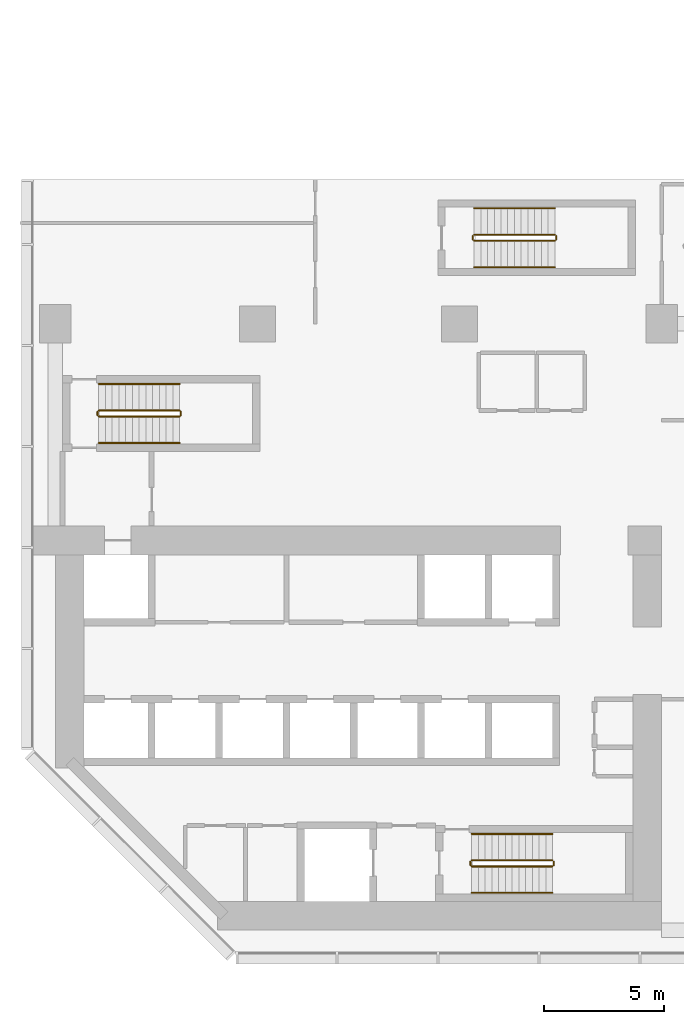
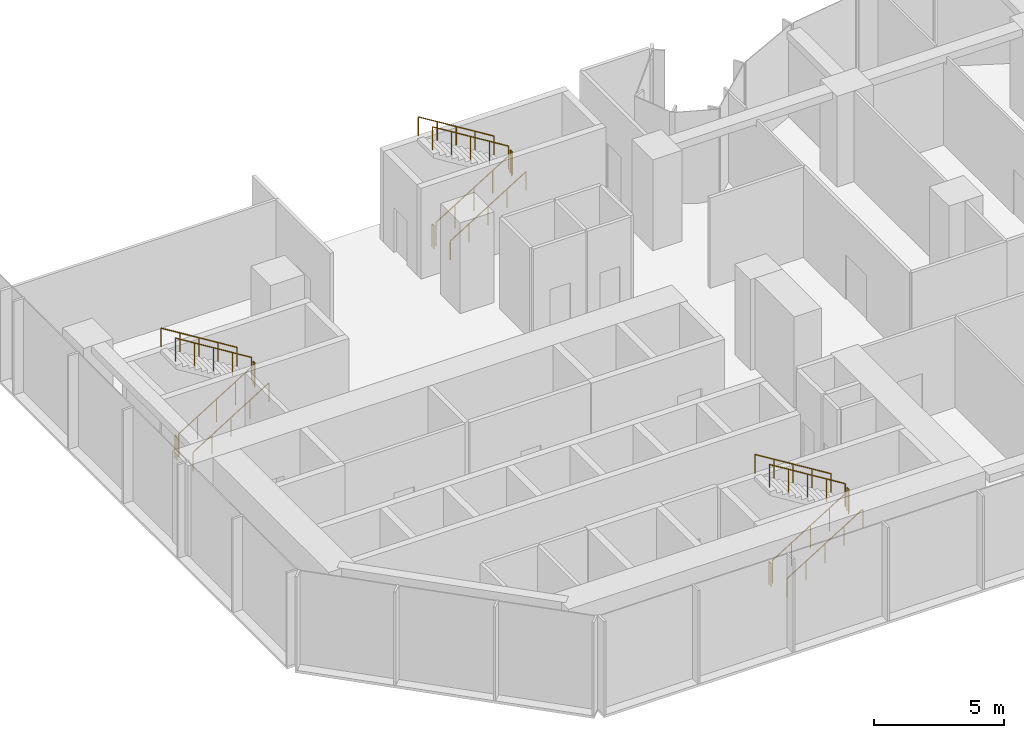
# One storey, part 11 of 13: 18 railings.
"""IFC4 building model written with IfcOpenShell, lengths in metres."""

import ifcopenshell
import ifcopenshell.guid

model = None  # the IFC model being written
_history = None  # IfcOwnerHistory: only IFC2X3 demands one
_inside = {}  # id of a spatial element -> (the spatial element, [elements in it])
_under = {}  # id of a project, library or spatial element -> (it, [spatial elements below it])
_declared = {}  # id of a project -> (the project, [libraries it declares])
_typed = {}  # id of a type object -> (the type object, [elements of that type])
_made_of = {}  # id of a material, layer set ... -> (it, [elements and type objects made of it])


def new_model(schema):
    """Start an empty IFC model of exactly this schema.

    Asked for "IFC4X3", IfcOpenShell would pick the latest addendum, in which some entities
    have other attributes; the version numbers below select the first issue.
    IFC2X3 requires an IfcOwnerHistory on every rooted entity: one is made here for all.
    """
    global model, _history
    if schema == "IFC4X3":
        model = ifcopenshell.file(schema_version=(4, 3, 0, 0))
    else:
        model = ifcopenshell.file(schema=schema)
    _inside.clear()
    _under.clear()
    _declared.clear()
    _typed.clear()
    _made_of.clear()
    _history = None
    if model.schema == "IFC2X3":
        org = make("IfcOrganization", Name="unknown")
        user = make(
            "IfcPersonAndOrganization",
            ThePerson=make("IfcPerson", FamilyName="unknown"),
            TheOrganization=org,
        )
        app = make(
            "IfcApplication",
            ApplicationDeveloper=org,
            Version="unknown",
            ApplicationFullName="unknown",
            ApplicationIdentifier="unknown",
        )
        _history = make(
            "IfcOwnerHistory",
            OwningUser=user,
            OwningApplication=app,
            ChangeAction="ADDED",
            CreationDate=0,
        )
    return model


def make(cls, **values):
    """One entity of the class cls with the attributes given. An attribute that is None is left unset."""
    return model.create_entity(
        cls, **{name: value for name, value in values.items() if value is not None}
    )


def rooted(cls, **values):
    """An entity with a GlobalId (a new one), such as an element, a storey or a relation."""
    return make(cls, GlobalId=ifcopenshell.guid.new(), OwnerHistory=_history, **values)


def si_unit(unit_type, name, prefix=None):
    """IfcSIUnit, for example si_unit("LENGTHUNIT", "METRE", prefix="MILLI")."""
    return make("IfcSIUnit", UnitType=unit_type, Prefix=prefix, Name=name)


def assignment(units):
    """IfcUnitAssignment: the units of a project."""
    return None if units is None else make("IfcUnitAssignment", Units=units)


def point(xyz):
    """IfcCartesianPoint."""
    return None if xyz is None else make("IfcCartesianPoint", Coordinates=xyz)


def direction(xyz):
    """IfcDirection."""
    return None if xyz is None else make("IfcDirection", DirectionRatios=xyz)


def frame(location, z_axis=None, x_axis=None):
    """IfcAxis2Placement3D, a coordinate frame: its origin and axes. An axis left out is left unset."""
    return make(
        "IfcAxis2Placement3D",
        Location=point(location),
        Axis=direction(z_axis),
        RefDirection=direction(x_axis),
    )


def frame_2d(location, x_axis=None):
    """IfcAxis2Placement2D, a coordinate frame in the plane: its origin and x axis."""
    return make(
        "IfcAxis2Placement2D", Location=point(location), RefDirection=direction(x_axis)
    )


def origin():
    """The frame at (0, 0, 0) with its axes left unset."""
    return frame((0.0, 0.0, 0.0))


def origin_2d():
    """The frame at (0, 0) in the plane with its x axis left unset."""
    return frame_2d((0.0, 0.0))


def place(relative_to, where):
    """IfcLocalPlacement: puts the frame where relative to a parent placement (None: the world)."""
    return make(
        "IfcLocalPlacement", PlacementRelTo=relative_to, RelativePlacement=where
    )


def context(
    kind, dimensions, precision=None, world=None, true_north=None, identifier=None
):
    """IfcGeometricRepresentationContext, for example the 3D "Model" context."""
    return make(
        "IfcGeometricRepresentationContext",
        ContextIdentifier=identifier,
        ContextType=kind,
        CoordinateSpaceDimension=dimensions,
        Precision=precision,
        WorldCoordinateSystem=world,
        TrueNorth=true_north,
    )


def subcontext(parent, identifier, kind, view, scale=None):
    """IfcGeometricRepresentationSubContext, for example "Body" below "Model"."""
    return make(
        "IfcGeometricRepresentationSubContext",
        ContextIdentifier=identifier,
        ContextType=kind,
        ParentContext=parent,
        TargetScale=scale,
        TargetView=view,
    )


def project(units=None, contexts=None):
    """IfcProject with its units and contexts."""
    return rooted(
        "IfcProject",
        Name="project",
        RepresentationContexts=contexts,
        UnitsInContext=assignment(units),
    )


def spatial(cls, under=None, at=None, **own):
    """A site, building, storey or space (cls), placed at a placement, below another one or the project."""
    s = rooted(cls, ObjectPlacement=at, **own)
    if under is not None:
        _under.setdefault(under.id(), (under, []))[1].append(s)
    return s


def profile(cls, at=None, kind="AREA", **sizes):
    """A parametric profile (cls). Its sizes go by their IFC names, for example OverallWidth=200.0."""
    return make(cls, ProfileType=kind, Position=at, **sizes)


def circle(**sizes):
    """IfcCircleProfileDef."""
    return profile("IfcCircleProfileDef", **sizes)


def extrude(swept, where, along, depth):
    """IfcExtrudedAreaSolid: the profile swept, set in the frame where, extruded along a direction by depth."""
    return make(
        "IfcExtrudedAreaSolid",
        SweptArea=swept,
        Position=where,
        ExtrudedDirection=direction(along),
        Depth=depth,
    )


def shape(context_of_items, identifier, shape_type, items):
    """IfcShapeRepresentation: the items that make up one representation, for example the "Body"."""
    return make(
        "IfcShapeRepresentation",
        ContextOfItems=context_of_items,
        RepresentationIdentifier=identifier,
        RepresentationType=shape_type,
        Items=items,
    )


def material(Name=None, Category=None):
    """IfcMaterial."""
    return make("IfcMaterial", Name=Name, Category=Category)


def made_of(thing, what):
    """Note that an element or type object is made of a material, layer set ...; save() writes the relation."""
    if what is not None:
        _made_of.setdefault(what.id(), (what, []))[1].append(thing)
    return thing


def type_object(cls, material=None, **own):
    """A type object (cls), such as IfcWallType, which elements share."""
    return made_of(rooted(cls, **own), material)


def element(
    cls,
    number,
    at=None,
    inside=None,
    cuts=None,
    type_object=None,
    material=None,
    context=None,
    identifier="Body",
    shape_type=None,
    held_by="IfcProductDefinitionShape",
    body=None,
    shapes=None,
    **own,
):
    """One element of the class cls, such as IfcWall. Its Tag is "e" and its number.

    at: its placement. inside: the storey or other place that contains it. cuts: it is an
    opening in that element (IfcRelVoidsElement). A single representation is given by context,
    identifier, shape_type and body (its items); several are given by shapes. held_by: the class
    of the entity that holds the representations. save() writes the other relations.
    """
    e = rooted(cls, Tag="e%d" % number, ObjectPlacement=at, **own)
    if body is not None:
        shapes = [shape(context, identifier, shape_type, body)]
    if shapes is not None:
        e.Representation = make(held_by, Representations=shapes)
    if inside is not None:
        _inside.setdefault(inside.id(), (inside, []))[1].append(e)
    if cuts is not None:
        rooted(
            "IfcRelVoidsElement", RelatingBuildingElement=cuts, RelatedOpeningElement=e
        )
    if type_object is not None:
        _typed.setdefault(type_object.id(), (type_object, []))[1].append(e)
    return made_of(e, material)


def aggregate(whole, parts):
    """IfcRelAggregates: a whole, such as a stair, and the parts it consists of."""
    return rooted("IfcRelAggregates", RelatingObject=whole, RelatedObjects=parts)


def save(model, path):
    """Write the relations noted so far, then the file.

    IfcRelAggregates (storeys below a building ...), IfcRelContainedInSpatialStructure (elements
    in a storey), IfcRelDefinesByType, IfcRelAssociatesMaterial and IfcRelDeclares: one each for
    every whole, place, type object, material and project.
    """
    for whole, parts in _under.values():
        aggregate(whole, parts)
    for where, things in _inside.values():
        rooted(
            "IfcRelContainedInSpatialStructure",
            RelatedElements=things,
            RelatingStructure=where,
        )
    for kind, things in _typed.values():
        rooted("IfcRelDefinesByType", RelatedObjects=things, RelatingType=kind)
    for what, things in _made_of.values():
        rooted("IfcRelAssociatesMaterial", RelatedObjects=things, RelatingMaterial=what)
    for by, libraries in _declared.values():
        rooted("IfcRelDeclares", RelatingContext=by, RelatedDefinitions=libraries)
    model.write(path)


model = new_model("IFC4")

# Units and contexts
model_context = context("Model", 3, precision=1e-05, world=origin(), true_north=direction((0.0, 1.0)))
body_context = subcontext(model_context, "Body", "Model", "MODEL_VIEW")
ifc_project = project(units=[si_unit("LENGTHUNIT", "METRE"), si_unit("AREAUNIT", "SQUARE_METRE"), si_unit("VOLUMEUNIT", "CUBIC_METRE"), si_unit("PLANEANGLEUNIT", "RADIAN"), si_unit("MASSUNIT", "GRAM", prefix="KILO")], contexts=[model_context])

# Site, building, storey
site_placement = place(None, origin())
site = spatial("IfcSite", under=ifc_project, at=site_placement, CompositionType="ELEMENT")
building_placement = place(site_placement, origin())
building = spatial("IfcBuilding", under=site, at=building_placement, Name="Brevane Broadcast Tower", CompositionType="ELEMENT")
storey_placement = place(building_placement, frame((0.0, 0.0, 32.0)))
storey = spatial("IfcBuildingStorey", under=building, at=storey_placement, Name="L05", CompositionType="ELEMENT", Elevation=32.0)

# Railings
ifc_material = material(Name="Steel S355", Category="steel")
railing_type_1 = type_object("IfcRailingType", Name="Exit stair guard", PredefinedType="GUARDRAIL", material=ifc_material)
railing_1_placement = place(storey_placement, frame((1.800048828125, 21.35009765625, 0.173095703125)))
element("IfcRailing", 1, at=railing_1_placement, inside=storey, type_object=railing_type_1, Name="L05 ST-1 stair guard 1", PredefinedType="GUARDRAIL", context=body_context, shape_type="SweptSolid", body=[
    extrude(circle(Radius=0.02392578125, at=origin_2d()), frame((0.0, 0.0, 1.076171875), z_axis=(0.850606129759, 0.0, 0.525803396734), x_axis=(0.0, 1.0, 0.0)), (0.0, 0.0, 1.0), 3.949951171875),
    extrude(circle(Radius=0.02099609375, at=origin_2d()), origin(), (0.0, 0.0, 1.0), 1.052001953125),
    extrude(circle(Radius=0.02099609375, at=origin_2d()), frame((0.83984375, 0.0, 0.519287109375)), (0.0, 0.0, 1.0), 1.052001953125),
    extrude(circle(Radius=0.02099609375, at=origin_2d()), frame((1.679931640625, 0.0, 1.03857421875)), (0.0, 0.0, 1.0), 1.052001953125),
    extrude(circle(Radius=0.02099609375, at=origin_2d()), frame((2.52001953125, 0.0, 1.5576171875)), (0.0, 0.0, 1.0), 1.052001953125),
    extrude(circle(Radius=0.02099609375, at=origin_2d()), frame((3.35986328125, 0.0, 2.076904296875)), (0.0, 0.0, 1.0), 1.052001953125),
])
railing_2_placement = place(storey_placement, frame((5.2099609375, 21.39990234375, 2.25)))
element("IfcRailing", 2, at=railing_2_placement, inside=storey, type_object=railing_type_1, Name="L05 ST-1 stair guard 2", PredefinedType="GUARDRAIL", context=body_context, shape_type="SweptSolid", body=[
    extrude(circle(Radius=0.02392578125, at=origin_2d()), frame((0.0, 0.0, 1.076171875), z_axis=(0.0, 1.0, 0.0), x_axis=(-1.0, 0.0, 0.0)), (0.0, 0.0, 1.0), 0.150146484375),
    extrude(circle(Radius=0.02099609375, at=origin_2d()), origin(), (0.0, 0.0, 1.0), 1.052001953125),
    extrude(circle(Radius=0.02099609375, at=origin_2d()), frame((0.0, 0.150146484375, 0.0)), (0.0, 0.0, 1.0), 1.052001953125),
])
railing_3_placement = place(storey_placement, frame((5.159912109375, 21.60009765625, 2.423095703125)))
element("IfcRailing", 3, at=railing_3_placement, inside=storey, type_object=railing_type_1, Name="L05 ST-1 stair guard 3", PredefinedType="GUARDRAIL", context=body_context, shape_type="SweptSolid", body=[
    extrude(circle(Radius=0.02392578125, at=origin_2d()), frame((0.0, 0.0, 1.076171875), z_axis=(-0.850606129759, 0.0, 0.525803396734), x_axis=(0.0, -1.0, 0.0)), (0.0, 0.0, 1.0), 3.949951171875),
    extrude(circle(Radius=0.02099609375, at=origin_2d()), origin(), (0.0, 0.0, 1.0), 1.052001953125),
    extrude(circle(Radius=0.02099609375, at=origin_2d()), frame((-0.83984375, 0.0, 0.519287109375)), (0.0, 0.0, 1.0), 1.052001953125),
    extrude(circle(Radius=0.02099609375, at=origin_2d()), frame((-1.679931640625, 0.0, 1.03857421875)), (0.0, 0.0, 1.0), 1.052001953125),
    extrude(circle(Radius=0.02099609375, at=origin_2d()), frame((-2.52001953125, 0.0, 1.5576171875)), (0.0, 0.0, 1.0), 1.052001953125),
    extrude(circle(Radius=0.02099609375, at=origin_2d()), frame((-3.35986328125, 0.0, 2.076904296875)), (0.0, 0.0, 1.0), 1.052001953125),
])
railing_4_placement = place(storey_placement, frame((1.75, 21.39990234375, 0.0)))
element("IfcRailing", 4, at=railing_4_placement, inside=storey, type_object=railing_type_1, Name="L05 ST-1 stair guard 4", PredefinedType="GUARDRAIL", context=body_context, shape_type="SweptSolid", body=[
    extrude(circle(Radius=0.02392578125, at=origin_2d()), frame((0.0, 0.0, 1.076171875), z_axis=(0.0, 1.0, 0.0), x_axis=(-1.0, 0.0, 0.0)), (0.0, 0.0, 1.0), 0.150146484375),
    extrude(circle(Radius=0.02099609375, at=origin_2d()), origin(), (0.0, 0.0, 1.0), 1.052001953125),
    extrude(circle(Radius=0.02099609375, at=origin_2d()), frame((0.0, 0.150146484375, 0.0)), (0.0, 0.0, 1.0), 1.052001953125),
])
railing_5_placement = place(storey_placement, frame((17.300048828125, 2.64990234375, 0.173095703125)))
element("IfcRailing", 5, at=railing_5_placement, inside=storey, type_object=railing_type_1, Name="L05 ST-2 stair guard 1", PredefinedType="GUARDRAIL", context=body_context, shape_type="SweptSolid", body=[
    extrude(circle(Radius=0.02392578125, at=origin_2d()), frame((0.0, 0.0, 1.076171875), z_axis=(0.850606129759, 0.0, 0.525803396734), x_axis=(0.0, 1.0, 0.0)), (0.0, 0.0, 1.0), 3.949951171875),
    extrude(circle(Radius=0.02099609375, at=origin_2d()), origin(), (0.0, 0.0, 1.0), 1.052001953125),
    extrude(circle(Radius=0.02099609375, at=origin_2d()), frame((0.83984375, 0.0, 0.519287109375)), (0.0, 0.0, 1.0), 1.052001953125),
    extrude(circle(Radius=0.02099609375, at=origin_2d()), frame((1.679931640625, 0.0, 1.03857421875)), (0.0, 0.0, 1.0), 1.052001953125),
    extrude(circle(Radius=0.02099609375, at=origin_2d()), frame((2.52001953125, 0.0, 1.5576171875)), (0.0, 0.0, 1.0), 1.052001953125),
    extrude(circle(Radius=0.02099609375, at=origin_2d()), frame((3.35986328125, 0.0, 2.076904296875)), (0.0, 0.0, 1.0), 1.052001953125),
])
railing_6_placement = place(storey_placement, frame((20.7099609375, 2.699951171875, 2.25)))
element("IfcRailing", 6, at=railing_6_placement, inside=storey, type_object=railing_type_1, Name="L05 ST-2 stair guard 2", PredefinedType="GUARDRAIL", context=body_context, shape_type="SweptSolid", body=[
    extrude(circle(Radius=0.02392578125, at=origin_2d()), frame((0.0, 0.0, 1.076171875), z_axis=(0.0, 1.0, 0.0), x_axis=(-1.0, 0.0, 0.0)), (0.0, 0.0, 1.0), 0.150146484375),
    extrude(circle(Radius=0.02099609375, at=origin_2d()), origin(), (0.0, 0.0, 1.0), 1.052001953125),
    extrude(circle(Radius=0.02099609375, at=origin_2d()), frame((0.0, 0.150146484375, 0.0)), (0.0, 0.0, 1.0), 1.052001953125),
])
railing_7_placement = place(storey_placement, frame((20.659912109375, 2.89990234375, 2.423095703125)))
element("IfcRailing", 7, at=railing_7_placement, inside=storey, type_object=railing_type_1, Name="L05 ST-2 stair guard 3", PredefinedType="GUARDRAIL", context=body_context, shape_type="SweptSolid", body=[
    extrude(circle(Radius=0.02392578125, at=origin_2d()), frame((0.0, 0.0, 1.076171875), z_axis=(-0.850606129759, 0.0, 0.525803396734), x_axis=(0.0, -1.0, 0.0)), (0.0, 0.0, 1.0), 3.949951171875),
    extrude(circle(Radius=0.02099609375, at=origin_2d()), origin(), (0.0, 0.0, 1.0), 1.052001953125),
    extrude(circle(Radius=0.02099609375, at=origin_2d()), frame((-0.83984375, 0.0, 0.519287109375)), (0.0, 0.0, 1.0), 1.052001953125),
    extrude(circle(Radius=0.02099609375, at=origin_2d()), frame((-1.679931640625, 0.0, 1.03857421875)), (0.0, 0.0, 1.0), 1.052001953125),
    extrude(circle(Radius=0.02099609375, at=origin_2d()), frame((-2.52001953125, 0.0, 1.5576171875)), (0.0, 0.0, 1.0), 1.052001953125),
    extrude(circle(Radius=0.02099609375, at=origin_2d()), frame((-3.35986328125, 0.0, 2.076904296875)), (0.0, 0.0, 1.0), 1.052001953125),
])
railing_8_placement = place(storey_placement, frame((17.25, 2.699951171875, 0.0)))
element("IfcRailing", 8, at=railing_8_placement, inside=storey, type_object=railing_type_1, Name="L05 ST-2 stair guard 4", PredefinedType="GUARDRAIL", context=body_context, shape_type="SweptSolid", body=[
    extrude(circle(Radius=0.02392578125, at=origin_2d()), frame((0.0, 0.0, 1.076171875), z_axis=(0.0, 1.0, 0.0), x_axis=(-1.0, 0.0, 0.0)), (0.0, 0.0, 1.0), 0.150146484375),
    extrude(circle(Radius=0.02099609375, at=origin_2d()), origin(), (0.0, 0.0, 1.0), 1.052001953125),
    extrude(circle(Radius=0.02099609375, at=origin_2d()), frame((0.0, 0.150146484375, 0.0)), (0.0, 0.0, 1.0), 1.052001953125),
])
railing_9_placement = place(storey_placement, frame((17.39990234375, 28.64990234375, 0.173095703125)))
element("IfcRailing", 9, at=railing_9_placement, inside=storey, type_object=railing_type_1, Name="L05 ST-3 stair guard 1", PredefinedType="GUARDRAIL", context=body_context, shape_type="SweptSolid", body=[
    extrude(circle(Radius=0.02392578125, at=origin_2d()), frame((0.0, 0.0, 1.076171875), z_axis=(0.850623216509, 0.0, 0.525775754039), x_axis=(0.0, 1.0, 0.0)), (0.0, 0.0, 1.0), 3.9501953125),
    extrude(circle(Radius=0.02099609375, at=origin_2d()), origin(), (0.0, 0.0, 1.0), 1.052001953125),
    extrude(circle(Radius=0.02099609375, at=origin_2d()), frame((0.840087890625, 0.0, 0.519287109375)), (0.0, 0.0, 1.0), 1.052001953125),
    extrude(circle(Radius=0.02099609375, at=origin_2d()), frame((1.68017578125, 0.0, 1.03857421875)), (0.0, 0.0, 1.0), 1.052001953125),
    extrude(circle(Radius=0.02099609375, at=origin_2d()), frame((2.52001953125, 0.0, 1.5576171875)), (0.0, 0.0, 1.0), 1.052001953125),
    extrude(circle(Radius=0.02099609375, at=origin_2d()), frame((3.360107421875, 0.0, 2.076904296875)), (0.0, 0.0, 1.0), 1.052001953125),
])
railing_10_placement = place(storey_placement, frame((20.81005859375, 28.699951171875, 2.25)))
element("IfcRailing", 10, at=railing_10_placement, inside=storey, type_object=railing_type_1, Name="L05 ST-3 stair guard 2", PredefinedType="GUARDRAIL", context=body_context, shape_type="SweptSolid", body=[
    extrude(circle(Radius=0.02392578125, at=origin_2d()), frame((0.0, 0.0, 1.076171875), z_axis=(0.0, 1.0, 0.0), x_axis=(-1.0, 0.0, 0.0)), (0.0, 0.0, 1.0), 0.150146484375),
    extrude(circle(Radius=0.02099609375, at=origin_2d()), origin(), (0.0, 0.0, 1.0), 1.052001953125),
    extrude(circle(Radius=0.02099609375, at=origin_2d()), frame((0.0, 0.150146484375, 0.0)), (0.0, 0.0, 1.0), 1.052001953125),
])
railing_11_placement = place(storey_placement, frame((20.760009765625, 28.89990234375, 2.423095703125)))
element("IfcRailing", 11, at=railing_11_placement, inside=storey, type_object=railing_type_1, Name="L05 ST-3 stair guard 3", PredefinedType="GUARDRAIL", context=body_context, shape_type="SweptSolid", body=[
    extrude(circle(Radius=0.02392578125, at=origin_2d()), frame((0.0, 0.0, 1.076171875), z_axis=(-0.850623216509, 0.0, 0.525775754039), x_axis=(0.0, -1.0, 0.0)), (0.0, 0.0, 1.0), 3.9501953125),
    extrude(circle(Radius=0.02099609375, at=origin_2d()), origin(), (0.0, 0.0, 1.0), 1.052001953125),
    extrude(circle(Radius=0.02099609375, at=origin_2d()), frame((-0.840087890625, 0.0, 0.519287109375)), (0.0, 0.0, 1.0), 1.052001953125),
    extrude(circle(Radius=0.02099609375, at=origin_2d()), frame((-1.68017578125, 0.0, 1.03857421875)), (0.0, 0.0, 1.0), 1.052001953125),
    extrude(circle(Radius=0.02099609375, at=origin_2d()), frame((-2.52001953125, 0.0, 1.5576171875)), (0.0, 0.0, 1.0), 1.052001953125),
    extrude(circle(Radius=0.02099609375, at=origin_2d()), frame((-3.360107421875, 0.0, 2.076904296875)), (0.0, 0.0, 1.0), 1.052001953125),
])
railing_12_placement = place(storey_placement, frame((17.35009765625, 28.699951171875, 0.0)))
element("IfcRailing", 12, at=railing_12_placement, inside=storey, type_object=railing_type_1, Name="L05 ST-3 stair guard 4", PredefinedType="GUARDRAIL", context=body_context, shape_type="SweptSolid", body=[
    extrude(circle(Radius=0.02392578125, at=origin_2d()), frame((0.0, 0.0, 1.076171875), z_axis=(0.0, 1.0, 0.0), x_axis=(-1.0, 0.0, 0.0)), (0.0, 0.0, 1.0), 0.150146484375),
    extrude(circle(Radius=0.02099609375, at=origin_2d()), origin(), (0.0, 0.0, 1.0), 1.052001953125),
    extrude(circle(Radius=0.02099609375, at=origin_2d()), frame((0.0, 0.150146484375, 0.0)), (0.0, 0.0, 1.0), 1.052001953125),
])
railing_type_2 = type_object("IfcRailingType", Name="Exit stair handrail", PredefinedType="HANDRAIL", material=ifc_material)
railing_13_placement = place(storey_placement, frame((1.800048828125, 20.25, 0.173095703125)))
element("IfcRailing", 13, at=railing_13_placement, inside=storey, type_object=railing_type_2, Name="L05 ST-1 stair handrail 1", PredefinedType="HANDRAIL", context=body_context, shape_type="SweptSolid", body=[
    extrude(circle(Radius=0.02392578125, at=origin_2d()), frame((0.0, 0.0, 0.8759765625), z_axis=(0.850606129759, 0.0, 0.525803396734), x_axis=(0.0, 1.0, 0.0)), (0.0, 0.0, 1.0), 3.949951171875),
    extrude(circle(Radius=0.02099609375, at=origin_2d()), origin(), (0.0, 0.0, 1.0), 0.851806640625),
    extrude(circle(Radius=0.02099609375, at=origin_2d()), frame((0.83984375, 0.0, 0.519287109375)), (0.0, 0.0, 1.0), 0.851806640625),
    extrude(circle(Radius=0.02099609375, at=origin_2d()), frame((1.679931640625, 0.0, 1.03857421875)), (0.0, 0.0, 1.0), 0.851806640625),
    extrude(circle(Radius=0.02099609375, at=origin_2d()), frame((2.52001953125, 0.0, 1.5576171875)), (0.0, 0.0, 1.0), 0.851806640625),
    extrude(circle(Radius=0.02099609375, at=origin_2d()), frame((3.35986328125, 0.0, 2.076904296875)), (0.0, 0.0, 1.0), 0.851806640625),
])
railing_14_placement = place(storey_placement, frame((5.159912109375, 22.699951171875, 2.423095703125)))
element("IfcRailing", 14, at=railing_14_placement, inside=storey, type_object=railing_type_2, Name="L05 ST-1 stair handrail 2", PredefinedType="HANDRAIL", context=body_context, shape_type="SweptSolid", body=[
    extrude(circle(Radius=0.02392578125, at=origin_2d()), frame((0.0, 0.0, 0.8759765625), z_axis=(-0.850606129759, 0.0, 0.525803396734), x_axis=(0.0, -1.0, 0.0)), (0.0, 0.0, 1.0), 3.949951171875),
    extrude(circle(Radius=0.02099609375, at=origin_2d()), origin(), (0.0, 0.0, 1.0), 0.851806640625),
    extrude(circle(Radius=0.02099609375, at=origin_2d()), frame((-0.83984375, 0.0, 0.519287109375)), (0.0, 0.0, 1.0), 0.851806640625),
    extrude(circle(Radius=0.02099609375, at=origin_2d()), frame((-1.679931640625, 0.0, 1.03857421875)), (0.0, 0.0, 1.0), 0.851806640625),
    extrude(circle(Radius=0.02099609375, at=origin_2d()), frame((-2.52001953125, 0.0, 1.5576171875)), (0.0, 0.0, 1.0), 0.851806640625),
    extrude(circle(Radius=0.02099609375, at=origin_2d()), frame((-3.35986328125, 0.0, 2.076904296875)), (0.0, 0.0, 1.0), 0.851806640625),
])
railing_15_placement = place(storey_placement, frame((17.300048828125, 1.550048828125, 0.173095703125)))
element("IfcRailing", 15, at=railing_15_placement, inside=storey, type_object=railing_type_2, Name="L05 ST-2 stair handrail 1", PredefinedType="HANDRAIL", context=body_context, shape_type="SweptSolid", body=[
    extrude(circle(Radius=0.02392578125, at=origin_2d()), frame((0.0, 0.0, 0.8759765625), z_axis=(0.850606129759, 0.0, 0.525803396734), x_axis=(0.0, 1.0, 0.0)), (0.0, 0.0, 1.0), 3.949951171875),
    extrude(circle(Radius=0.02099609375, at=origin_2d()), origin(), (0.0, 0.0, 1.0), 0.851806640625),
    extrude(circle(Radius=0.02099609375, at=origin_2d()), frame((0.83984375, 0.0, 0.519287109375)), (0.0, 0.0, 1.0), 0.851806640625),
    extrude(circle(Radius=0.02099609375, at=origin_2d()), frame((1.679931640625, 0.0, 1.03857421875)), (0.0, 0.0, 1.0), 0.851806640625),
    extrude(circle(Radius=0.02099609375, at=origin_2d()), frame((2.52001953125, 0.0, 1.5576171875)), (0.0, 0.0, 1.0), 0.851806640625),
    extrude(circle(Radius=0.02099609375, at=origin_2d()), frame((3.35986328125, 0.0, 2.076904296875)), (0.0, 0.0, 1.0), 0.851806640625),
])
railing_16_placement = place(storey_placement, frame((20.659912109375, 4.0, 2.423095703125)))
element("IfcRailing", 16, at=railing_16_placement, inside=storey, type_object=railing_type_2, Name="L05 ST-2 stair handrail 2", PredefinedType="HANDRAIL", context=body_context, shape_type="SweptSolid", body=[
    extrude(circle(Radius=0.02392578125, at=origin_2d()), frame((0.0, 0.0, 0.8759765625), z_axis=(-0.850606129759, 0.0, 0.525803396734), x_axis=(0.0, -1.0, 0.0)), (0.0, 0.0, 1.0), 3.949951171875),
    extrude(circle(Radius=0.02099609375, at=origin_2d()), origin(), (0.0, 0.0, 1.0), 0.851806640625),
    extrude(circle(Radius=0.02099609375, at=origin_2d()), frame((-0.83984375, 0.0, 0.519287109375)), (0.0, 0.0, 1.0), 0.851806640625),
    extrude(circle(Radius=0.02099609375, at=origin_2d()), frame((-1.679931640625, 0.0, 1.03857421875)), (0.0, 0.0, 1.0), 0.851806640625),
    extrude(circle(Radius=0.02099609375, at=origin_2d()), frame((-2.52001953125, 0.0, 1.5576171875)), (0.0, 0.0, 1.0), 0.851806640625),
    extrude(circle(Radius=0.02099609375, at=origin_2d()), frame((-3.35986328125, 0.0, 2.076904296875)), (0.0, 0.0, 1.0), 0.851806640625),
])
railing_17_placement = place(storey_placement, frame((17.39990234375, 27.550048828125, 0.173095703125)))
element("IfcRailing", 17, at=railing_17_placement, inside=storey, type_object=railing_type_2, Name="L05 ST-3 stair handrail 1", PredefinedType="HANDRAIL", context=body_context, shape_type="SweptSolid", body=[
    extrude(circle(Radius=0.02392578125, at=origin_2d()), frame((0.0, 0.0, 0.8759765625), z_axis=(0.850623216509, 0.0, 0.525775754039), x_axis=(0.0, 1.0, 0.0)), (0.0, 0.0, 1.0), 3.9501953125),
    extrude(circle(Radius=0.02099609375, at=origin_2d()), origin(), (0.0, 0.0, 1.0), 0.851806640625),
    extrude(circle(Radius=0.02099609375, at=origin_2d()), frame((0.840087890625, 0.0, 0.519287109375)), (0.0, 0.0, 1.0), 0.851806640625),
    extrude(circle(Radius=0.02099609375, at=origin_2d()), frame((1.68017578125, 0.0, 1.03857421875)), (0.0, 0.0, 1.0), 0.851806640625),
    extrude(circle(Radius=0.02099609375, at=origin_2d()), frame((2.52001953125, 0.0, 1.5576171875)), (0.0, 0.0, 1.0), 0.851806640625),
    extrude(circle(Radius=0.02099609375, at=origin_2d()), frame((3.360107421875, 0.0, 2.076904296875)), (0.0, 0.0, 1.0), 0.851806640625),
])
railing_18_placement = place(storey_placement, frame((20.760009765625, 30.0, 2.423095703125)))
element("IfcRailing", 18, at=railing_18_placement, inside=storey, type_object=railing_type_2, Name="L05 ST-3 stair handrail 2", PredefinedType="HANDRAIL", context=body_context, shape_type="SweptSolid", body=[
    extrude(circle(Radius=0.02392578125, at=origin_2d()), frame((0.0, 0.0, 0.8759765625), z_axis=(-0.850623216509, 0.0, 0.525775754039), x_axis=(0.0, -1.0, 0.0)), (0.0, 0.0, 1.0), 3.9501953125),
    extrude(circle(Radius=0.02099609375, at=origin_2d()), origin(), (0.0, 0.0, 1.0), 0.851806640625),
    extrude(circle(Radius=0.02099609375, at=origin_2d()), frame((-0.840087890625, 0.0, 0.519287109375)), (0.0, 0.0, 1.0), 0.851806640625),
    extrude(circle(Radius=0.02099609375, at=origin_2d()), frame((-1.68017578125, 0.0, 1.03857421875)), (0.0, 0.0, 1.0), 0.851806640625),
    extrude(circle(Radius=0.02099609375, at=origin_2d()), frame((-2.52001953125, 0.0, 1.5576171875)), (0.0, 0.0, 1.0), 0.851806640625),
    extrude(circle(Radius=0.02099609375, at=origin_2d()), frame((-3.360107421875, 0.0, 2.076904296875)), (0.0, 0.0, 1.0), 0.851806640625),
])

save(model, "model.ifc")
